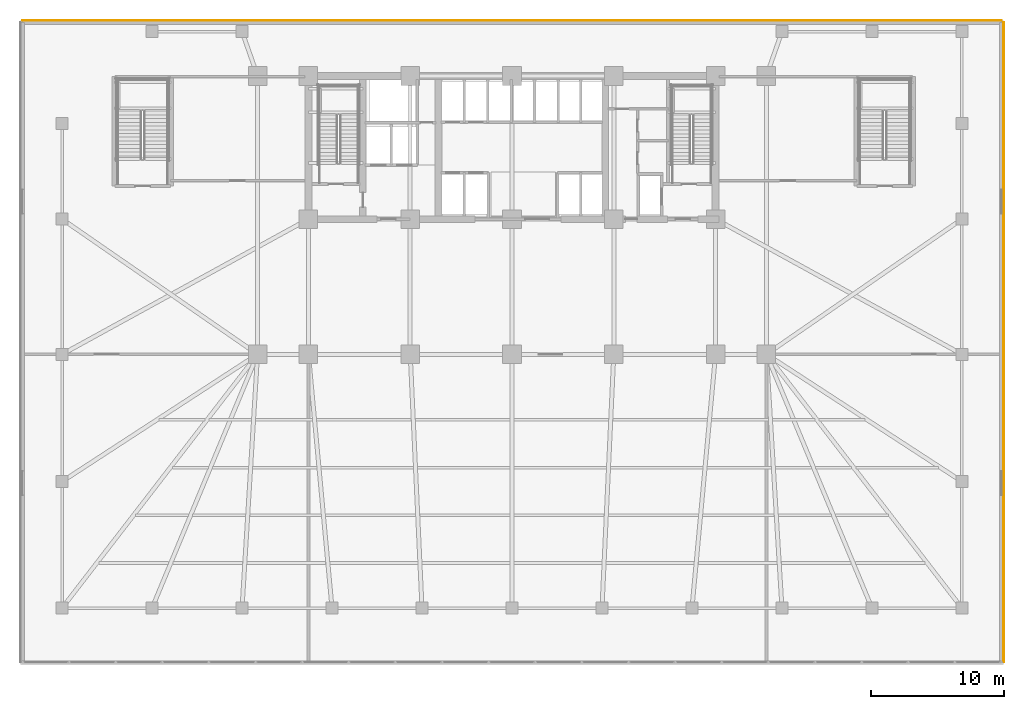
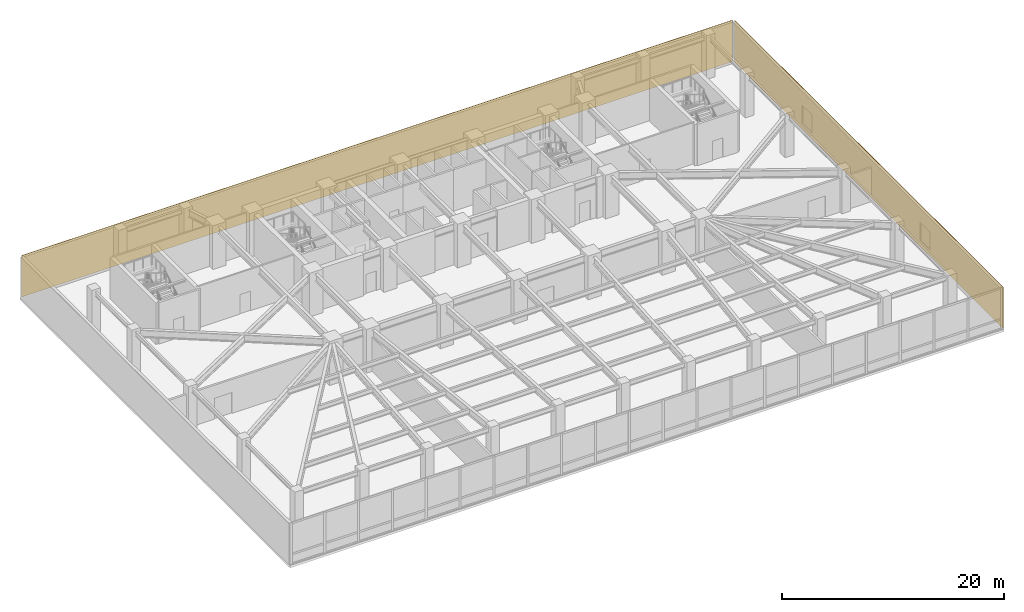
# One storey, part 18 of 19: 2 coverings.
"""IFC4 building model written with IfcOpenShell, lengths in metres."""

import ifcopenshell
import ifcopenshell.guid

model = None  # the IFC model being written
_history = None  # IfcOwnerHistory: only IFC2X3 demands one
_inside = {}  # id of a spatial element -> (the spatial element, [elements in it])
_under = {}  # id of a project, library or spatial element -> (it, [spatial elements below it])
_declared = {}  # id of a project -> (the project, [libraries it declares])
_typed = {}  # id of a type object -> (the type object, [elements of that type])
_made_of = {}  # id of a material, layer set ... -> (it, [elements and type objects made of it])


def new_model(schema):
    """Start an empty IFC model of exactly this schema.

    Asked for "IFC4X3", IfcOpenShell would pick the latest addendum, in which some entities
    have other attributes; the version numbers below select the first issue.
    IFC2X3 requires an IfcOwnerHistory on every rooted entity: one is made here for all.
    """
    global model, _history
    if schema == "IFC4X3":
        model = ifcopenshell.file(schema_version=(4, 3, 0, 0))
    else:
        model = ifcopenshell.file(schema=schema)
    _inside.clear()
    _under.clear()
    _declared.clear()
    _typed.clear()
    _made_of.clear()
    _history = None
    if model.schema == "IFC2X3":
        org = make("IfcOrganization", Name="unknown")
        user = make(
            "IfcPersonAndOrganization",
            ThePerson=make("IfcPerson", FamilyName="unknown"),
            TheOrganization=org,
        )
        app = make(
            "IfcApplication",
            ApplicationDeveloper=org,
            Version="unknown",
            ApplicationFullName="unknown",
            ApplicationIdentifier="unknown",
        )
        _history = make(
            "IfcOwnerHistory",
            OwningUser=user,
            OwningApplication=app,
            ChangeAction="ADDED",
            CreationDate=0,
        )
    return model


def make(cls, **values):
    """One entity of the class cls with the attributes given. An attribute that is None is left unset."""
    return model.create_entity(
        cls, **{name: value for name, value in values.items() if value is not None}
    )


def rooted(cls, **values):
    """An entity with a GlobalId (a new one), such as an element, a storey or a relation."""
    return make(cls, GlobalId=ifcopenshell.guid.new(), OwnerHistory=_history, **values)


def si_unit(unit_type, name, prefix=None):
    """IfcSIUnit, for example si_unit("LENGTHUNIT", "METRE", prefix="MILLI")."""
    return make("IfcSIUnit", UnitType=unit_type, Prefix=prefix, Name=name)


def assignment(units):
    """IfcUnitAssignment: the units of a project."""
    return None if units is None else make("IfcUnitAssignment", Units=units)


def point(xyz):
    """IfcCartesianPoint."""
    return None if xyz is None else make("IfcCartesianPoint", Coordinates=xyz)


def direction(xyz):
    """IfcDirection."""
    return None if xyz is None else make("IfcDirection", DirectionRatios=xyz)


def frame(location, z_axis=None, x_axis=None):
    """IfcAxis2Placement3D, a coordinate frame: its origin and axes. An axis left out is left unset."""
    return make(
        "IfcAxis2Placement3D",
        Location=point(location),
        Axis=direction(z_axis),
        RefDirection=direction(x_axis),
    )


def frame_2d(location, x_axis=None):
    """IfcAxis2Placement2D, a coordinate frame in the plane: its origin and x axis."""
    return make(
        "IfcAxis2Placement2D", Location=point(location), RefDirection=direction(x_axis)
    )


def origin():
    """The frame at (0, 0, 0) with its axes left unset."""
    return frame((0.0, 0.0, 0.0))


def place(relative_to, where):
    """IfcLocalPlacement: puts the frame where relative to a parent placement (None: the world)."""
    return make(
        "IfcLocalPlacement", PlacementRelTo=relative_to, RelativePlacement=where
    )


def context(
    kind, dimensions, precision=None, world=None, true_north=None, identifier=None
):
    """IfcGeometricRepresentationContext, for example the 3D "Model" context."""
    return make(
        "IfcGeometricRepresentationContext",
        ContextIdentifier=identifier,
        ContextType=kind,
        CoordinateSpaceDimension=dimensions,
        Precision=precision,
        WorldCoordinateSystem=world,
        TrueNorth=true_north,
    )


def subcontext(parent, identifier, kind, view, scale=None):
    """IfcGeometricRepresentationSubContext, for example "Body" below "Model"."""
    return make(
        "IfcGeometricRepresentationSubContext",
        ContextIdentifier=identifier,
        ContextType=kind,
        ParentContext=parent,
        TargetScale=scale,
        TargetView=view,
    )


def project(units=None, contexts=None):
    """IfcProject with its units and contexts."""
    return rooted(
        "IfcProject",
        Name="project",
        RepresentationContexts=contexts,
        UnitsInContext=assignment(units),
    )


def spatial(cls, under=None, at=None, **own):
    """A site, building, storey or space (cls), placed at a placement, below another one or the project."""
    s = rooted(cls, ObjectPlacement=at, **own)
    if under is not None:
        _under.setdefault(under.id(), (under, []))[1].append(s)
    return s


def profile(cls, at=None, kind="AREA", **sizes):
    """A parametric profile (cls). Its sizes go by their IFC names, for example OverallWidth=200.0."""
    return make(cls, ProfileType=kind, Position=at, **sizes)


def rectangle(**sizes):
    """IfcRectangleProfileDef."""
    return profile("IfcRectangleProfileDef", **sizes)


def extrude(swept, where, along, depth):
    """IfcExtrudedAreaSolid: the profile swept, set in the frame where, extruded along a direction by depth."""
    return make(
        "IfcExtrudedAreaSolid",
        SweptArea=swept,
        Position=where,
        ExtrudedDirection=direction(along),
        Depth=depth,
    )


def shape(context_of_items, identifier, shape_type, items):
    """IfcShapeRepresentation: the items that make up one representation, for example the "Body"."""
    return make(
        "IfcShapeRepresentation",
        ContextOfItems=context_of_items,
        RepresentationIdentifier=identifier,
        RepresentationType=shape_type,
        Items=items,
    )


def material(Name=None, Category=None):
    """IfcMaterial."""
    return make("IfcMaterial", Name=Name, Category=Category)


def layer(
    of_material, thickness, ventilated=None, Name=None, Category=None, Priority=None
):
    """IfcMaterialLayer: one layer of a wall or slab, of a material (None: an air gap)."""
    return make(
        "IfcMaterialLayer",
        Material=of_material,
        LayerThickness=thickness,
        IsVentilated=ventilated,
        Name=Name,
        Category=Category,
        Priority=Priority,
    )


def layer_set(layers, Name=None):
    """IfcMaterialLayerSet."""
    return make("IfcMaterialLayerSet", MaterialLayers=layers, LayerSetName=Name)


def made_of(thing, what):
    """Note that an element or type object is made of a material, layer set ...; save() writes the relation."""
    if what is not None:
        _made_of.setdefault(what.id(), (what, []))[1].append(thing)
    return thing


def type_object(cls, material=None, **own):
    """A type object (cls), such as IfcWallType, which elements share."""
    return made_of(rooted(cls, **own), material)


def element(
    cls,
    number,
    at=None,
    inside=None,
    cuts=None,
    type_object=None,
    material=None,
    context=None,
    identifier="Body",
    shape_type=None,
    held_by="IfcProductDefinitionShape",
    body=None,
    shapes=None,
    **own,
):
    """One element of the class cls, such as IfcWall. Its Tag is "e" and its number.

    at: its placement. inside: the storey or other place that contains it. cuts: it is an
    opening in that element (IfcRelVoidsElement). A single representation is given by context,
    identifier, shape_type and body (its items); several are given by shapes. held_by: the class
    of the entity that holds the representations. save() writes the other relations.
    """
    e = rooted(cls, Tag="e%d" % number, ObjectPlacement=at, **own)
    if body is not None:
        shapes = [shape(context, identifier, shape_type, body)]
    if shapes is not None:
        e.Representation = make(held_by, Representations=shapes)
    if inside is not None:
        _inside.setdefault(inside.id(), (inside, []))[1].append(e)
    if cuts is not None:
        rooted(
            "IfcRelVoidsElement", RelatingBuildingElement=cuts, RelatedOpeningElement=e
        )
    if type_object is not None:
        _typed.setdefault(type_object.id(), (type_object, []))[1].append(e)
    return made_of(e, material)


def aggregate(whole, parts):
    """IfcRelAggregates: a whole, such as a stair, and the parts it consists of."""
    return rooted("IfcRelAggregates", RelatingObject=whole, RelatedObjects=parts)


def save(model, path):
    """Write the relations noted so far, then the file.

    IfcRelAggregates (storeys below a building ...), IfcRelContainedInSpatialStructure (elements
    in a storey), IfcRelDefinesByType, IfcRelAssociatesMaterial and IfcRelDeclares: one each for
    every whole, place, type object, material and project.
    """
    for whole, parts in _under.values():
        aggregate(whole, parts)
    for where, things in _inside.values():
        rooted(
            "IfcRelContainedInSpatialStructure",
            RelatedElements=things,
            RelatingStructure=where,
        )
    for kind, things in _typed.values():
        rooted("IfcRelDefinesByType", RelatedObjects=things, RelatingType=kind)
    for what, things in _made_of.values():
        rooted("IfcRelAssociatesMaterial", RelatedObjects=things, RelatingMaterial=what)
    for by, libraries in _declared.values():
        rooted("IfcRelDeclares", RelatingContext=by, RelatedDefinitions=libraries)
    model.write(path)


model = new_model("IFC4")

# Units and contexts
model_context = context("Model", 3, precision=1e-05, world=origin(), true_north=direction((0.0, 1.0)))
body_context = subcontext(model_context, "Body", "Model", "MODEL_VIEW")
ifc_project = project(units=[si_unit("LENGTHUNIT", "METRE"), si_unit("AREAUNIT", "SQUARE_METRE"), si_unit("VOLUMEUNIT", "CUBIC_METRE"), si_unit("PLANEANGLEUNIT", "RADIAN"), si_unit("MASSUNIT", "GRAM", prefix="KILO")], contexts=[model_context])

# Site, building, storey
site_placement = place(None, origin())
site = spatial("IfcSite", under=ifc_project, at=site_placement, CompositionType="ELEMENT")
building_placement = place(site_placement, origin())
building = spatial("IfcBuilding", under=site, at=building_placement, Name="Yelkora Congress Tower", CompositionType="ELEMENT")
storey_placement = place(building_placement, frame((0.0, 0.0, 15.60009765625)))
storey = spatial("IfcBuildingStorey", under=building, at=storey_placement, Name="L03", CompositionType="ELEMENT", Elevation=15.60009765625)

# Coverings
ifc_material = material(Name="Anatolian honed limestone ashlar", Category="masonry")
ifc_layer = layer(ifc_material, 0.050048828125)
ifc_layer_set = layer_set([ifc_layer], Name="Anatolian honed limestone ashlar")
covering_type = type_object("IfcCoveringType", Name="COV-CLAD-LIMESTONE-50", PredefinedType="CLADDING", material=ifc_layer_set)
covering_1_placement = place(storey_placement, frame((1.4599609375, 50.39990234375, 0.0), z_axis=(0.0, 0.0, 1.0), x_axis=(1.0, 0.0, 0.0)))
element("IfcCovering", 1, at=covering_1_placement, inside=storey, type_object=covering_type, Name="L03 Anatolian Limestone Cladding EW-L03-E02", PredefinedType="CLADDING", context=body_context, shape_type="SweptSolid", body=[
    extrude(rectangle(XDim=73.880126953125, YDim=0.050048828125, at=frame_2d((36.93994140625, 0.0))), origin(), (0.0, 0.0, 1.0), 4.539794921875),
])
covering_2_placement = place(storey_placement, frame((75.5, 50.239990234375, 0.0), z_axis=(0.0, 0.0, 1.0), x_axis=(0.0, -1.0, 0.0)))
element("IfcCovering", 2, at=covering_2_placement, inside=storey, type_object=covering_type, Name="L03 Anatolian Limestone Cladding EW-L03-E03", PredefinedType="CLADDING", context=body_context, shape_type="SweptSolid", body=[
    extrude(rectangle(XDim=48.280029296875, YDim=0.050048828125, at=frame_2d((24.14013671875, 0.0))), origin(), (0.0, 0.0, 1.0), 4.539794921875),
])

save(model, "model.ifc")
